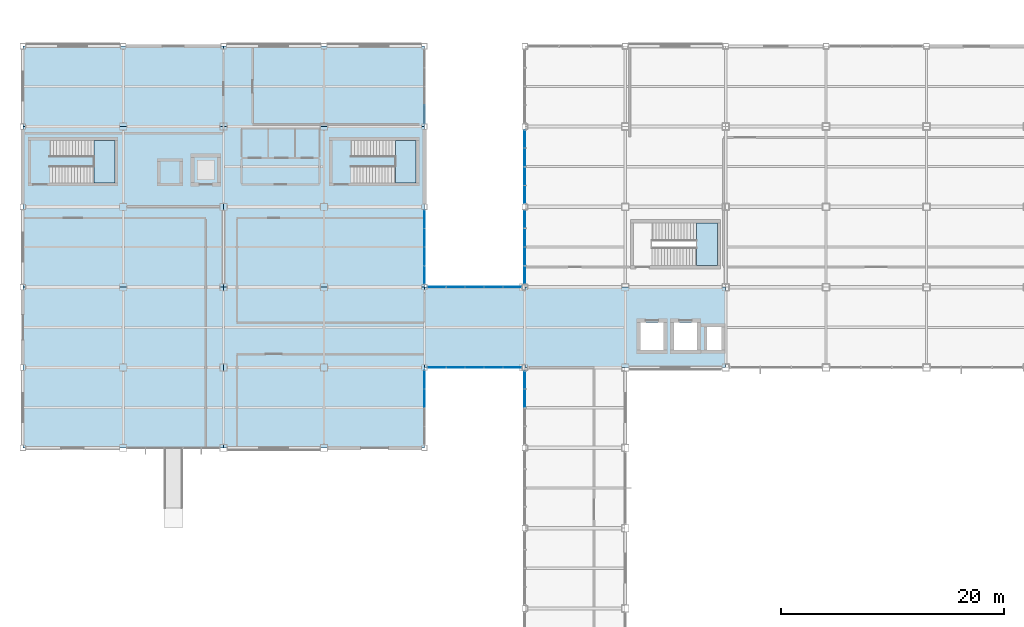
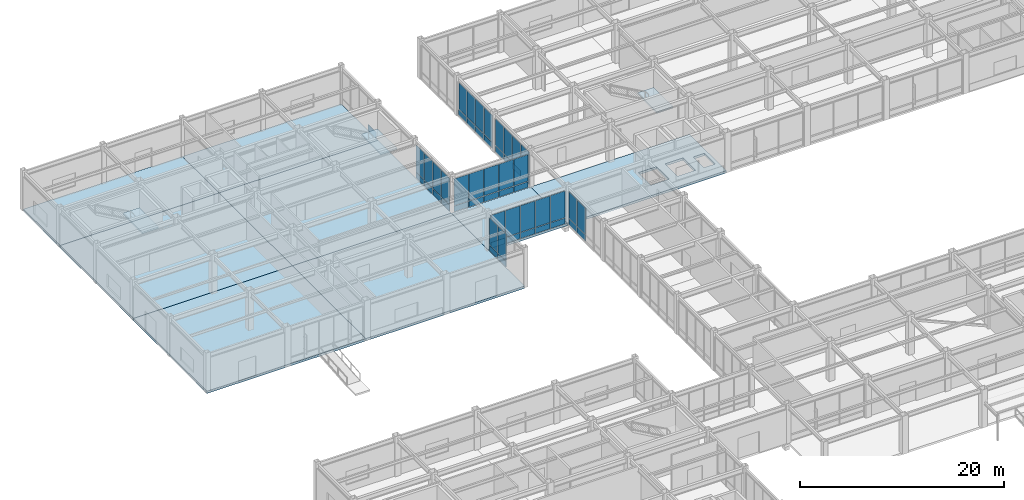
# One storey, part 83 of 112: 53 plates, 11 slabs, 11 elements without a shape of their own.
"""IFC4 building model written with IfcOpenShell, lengths in metres."""

from ifc_helpers import new_model, si_unit, direction, frame, origin, origin_2d, place, context, subcontext, project, spatial, polyline, rectangle, outline, extrude, material, layer, layer_set, type_object, element, aggregate, save


model = new_model("IFC4")

# Units and contexts
model_context = context("Model", 3, precision=1e-05, world=origin(), true_north=direction((0.0, 1.0)))
body_context = subcontext(model_context, "Body", "Model", "MODEL_VIEW")
ifc_project = project(units=[si_unit("LENGTHUNIT", "METRE"), si_unit("AREAUNIT", "SQUARE_METRE"), si_unit("VOLUMEUNIT", "CUBIC_METRE"), si_unit("PLANEANGLEUNIT", "RADIAN"), si_unit("MASSUNIT", "GRAM", prefix="KILO")], contexts=[model_context])

# Site, building, storey
site_placement = place(None, origin())
site = spatial("IfcSite", under=ifc_project, at=site_placement, CompositionType="ELEMENT")
building_placement = place(site_placement, origin())
building = spatial("IfcBuilding", under=site, at=building_placement, Name="Kazanami Central Library", CompositionType="ELEMENT")
storey_placement = place(building_placement, origin())
storey = spatial("IfcBuildingStorey", under=building, at=storey_placement, Name="L01", CompositionType="ELEMENT", Elevation=0.0)

# Curtain wall, plates
ifc_material_1 = material(Name="Acid-Etched Low-E Laminated Glass", Category="glass")
curtain_wall_type_1 = type_object("IfcCurtainWallType", Name="CW-8500x4055-M180", PredefinedType="USERDEFINED", material=ifc_material_1)
curtain_wall_1_placement = place(storey_placement, origin())
curtain_wall_1 = element("IfcCurtainWall", 1, at=curtain_wall_1_placement, inside=storey, type_object=curtain_wall_type_1, Name="Covered Link Bridge Curtain Wall CW-02 L01 S-K-04", ObjectType="UNITISED CURTAIN WALL", PredefinedType="USERDEFINED")
ifc_material_2 = material(Name="Low-E Insulated Triple Glass", Category="glass")
ifc_layer_1 = layer(ifc_material_2, 0.0400390625, Name="Low-E Insulated Triple Glass")
ifc_layer_set_1 = layer_set([ifc_layer_1], Name="Low-E Insulated Triple Glass")
plate_type_1 = type_object("IfcPlateType", Name="PLT-CW-P3", PredefinedType="CURTAIN_PANEL", material=ifc_layer_set_1)
plate_1_placement = place(storey_placement, frame((37.114990234375, 64.800048828125, 0.81005859375), z_axis=(0.0, 0.0, 1.0), x_axis=(1.0, 0.0, 0.0)))
plate_1 = element("IfcPlate", 2, at=plate_1_placement, type_object=plate_type_1, Name="CW-02 panel 1.2", PredefinedType="CURTAIN_PANEL", context=body_context, shape_type="SweptSolid", body=[
    extrude(rectangle(XDim=1.610107421875, YDim=0.0400390625, at=origin_2d()), origin(), (0.0, 0.0, 1.0), 3.18505859375),
])
plate_2_placement = place(storey_placement, frame((38.800048828125, 64.800048828125, 0.81005859375), z_axis=(0.0, 0.0, 1.0), x_axis=(1.0, 0.0, 0.0)))
plate_2 = element("IfcPlate", 3, at=plate_2_placement, type_object=plate_type_1, Name="CW-02 panel 2.2", PredefinedType="CURTAIN_PANEL", context=body_context, shape_type="SweptSolid", body=[
    extrude(rectangle(XDim=1.639892578125, YDim=0.0400390625, at=origin_2d()), origin(), (0.0, 0.0, 1.0), 3.18505859375),
])
plate_3_placement = place(storey_placement, frame((40.5, 64.800048828125, 0.81005859375), z_axis=(0.0, 0.0, 1.0), x_axis=(1.0, 0.0, 0.0)))
plate_3 = element("IfcPlate", 4, at=plate_3_placement, type_object=plate_type_1, Name="CW-02 panel 3.2", PredefinedType="CURTAIN_PANEL", context=body_context, shape_type="SweptSolid", body=[
    extrude(rectangle(XDim=1.639892578125, YDim=0.0400390625, at=origin_2d()), origin(), (0.0, 0.0, 1.0), 3.18505859375),
])
plate_4_placement = place(storey_placement, frame((42.199951171875, 64.800048828125, 0.81005859375), z_axis=(0.0, 0.0, 1.0), x_axis=(1.0, 0.0, 0.0)))
plate_4 = element("IfcPlate", 5, at=plate_4_placement, type_object=plate_type_1, Name="CW-02 panel 4.2", PredefinedType="CURTAIN_PANEL", context=body_context, shape_type="SweptSolid", body=[
    extrude(rectangle(XDim=1.639892578125, YDim=0.0400390625, at=origin_2d()), origin(), (0.0, 0.0, 1.0), 3.18505859375),
])
plate_5_placement = place(storey_placement, frame((43.885009765625, 64.800048828125, 0.81005859375), z_axis=(0.0, 0.0, 1.0), x_axis=(1.0, 0.0, 0.0)))
plate_5 = element("IfcPlate", 6, at=plate_5_placement, type_object=plate_type_1, Name="CW-02 panel 5.2", PredefinedType="CURTAIN_PANEL", context=body_context, shape_type="SweptSolid", body=[
    extrude(rectangle(XDim=1.610107421875, YDim=0.0400390625, at=origin_2d()), origin(), (0.0, 0.0, 1.0), 3.18505859375),
])

curtain_wall_2_placement = place(storey_placement, origin())
curtain_wall_2 = element("IfcCurtainWall", 7, at=curtain_wall_2_placement, inside=storey, type_object=curtain_wall_type_1, Name="Covered Link Bridge Curtain Wall CW-02 L01 N-L-04", ObjectType="UNITISED CURTAIN WALL", PredefinedType="USERDEFINED")
plate_6_placement = place(storey_placement, frame((43.885009765625, 72.0, 0.81005859375), z_axis=(0.0, 0.0, 1.0), x_axis=(-1.0, 0.0, 0.0)))
plate_6 = element("IfcPlate", 8, at=plate_6_placement, type_object=plate_type_1, Name="CW-02 panel 1.2", PredefinedType="CURTAIN_PANEL", context=body_context, shape_type="SweptSolid", body=[
    extrude(rectangle(XDim=1.610107421875, YDim=0.0400390625, at=origin_2d()), origin(), (0.0, 0.0, 1.0), 3.18505859375),
])
plate_7_placement = place(storey_placement, frame((42.199951171875, 72.0, 0.81005859375), z_axis=(0.0, 0.0, 1.0), x_axis=(-1.0, 0.0, 0.0)))
plate_7 = element("IfcPlate", 9, at=plate_7_placement, type_object=plate_type_1, Name="CW-02 panel 2.2", PredefinedType="CURTAIN_PANEL", context=body_context, shape_type="SweptSolid", body=[
    extrude(rectangle(XDim=1.639892578125, YDim=0.0400390625, at=origin_2d()), origin(), (0.0, 0.0, 1.0), 3.18505859375),
])
plate_8_placement = place(storey_placement, frame((40.5, 72.0, 0.81005859375), z_axis=(0.0, 0.0, 1.0), x_axis=(-1.0, 0.0, 0.0)))
plate_8 = element("IfcPlate", 10, at=plate_8_placement, type_object=plate_type_1, Name="CW-02 panel 3.2", PredefinedType="CURTAIN_PANEL", context=body_context, shape_type="SweptSolid", body=[
    extrude(rectangle(XDim=1.639892578125, YDim=0.0400390625, at=origin_2d()), origin(), (0.0, 0.0, 1.0), 3.18505859375),
])
plate_9_placement = place(storey_placement, frame((38.800048828125, 72.0, 0.81005859375), z_axis=(0.0, 0.0, 1.0), x_axis=(-1.0, 0.0, 0.0)))
plate_9 = element("IfcPlate", 11, at=plate_9_placement, type_object=plate_type_1, Name="CW-02 panel 4.2", PredefinedType="CURTAIN_PANEL", context=body_context, shape_type="SweptSolid", body=[
    extrude(rectangle(XDim=1.639892578125, YDim=0.0400390625, at=origin_2d()), origin(), (0.0, 0.0, 1.0), 3.18505859375),
])
plate_10_placement = place(storey_placement, frame((37.114990234375, 72.0, 0.81005859375), z_axis=(0.0, 0.0, 1.0), x_axis=(-1.0, 0.0, 0.0)))
plate_10 = element("IfcPlate", 12, at=plate_10_placement, type_object=plate_type_1, Name="CW-02 panel 5.2", PredefinedType="CURTAIN_PANEL", context=body_context, shape_type="SweptSolid", body=[
    extrude(rectangle(XDim=1.610107421875, YDim=0.0400390625, at=origin_2d()), origin(), (0.0, 0.0, 1.0), 3.18505859375),
])

curtain_wall_type_2 = type_object("IfcCurtainWallType", Name="CW-6700x4055-M180", PredefinedType="USERDEFINED", material=ifc_material_1)
curtain_wall_3_placement = place(storey_placement, origin())
curtain_wall_3 = element("IfcCurtainWall", 13, at=curtain_wall_3_placement, inside=storey, type_object=curtain_wall_type_2, Name="Covered Link Bridge Curtain Wall CW-09 L01 E-5-08", ObjectType="UNITISED CURTAIN WALL", PredefinedType="USERDEFINED")
plate_11_placement = place(storey_placement, frame((36.0, 63.697509765625, 0.81005859375), z_axis=(0.0, 0.0, 1.0), x_axis=(0.0, -1.0, 0.0)))
plate_11 = element("IfcPlate", 14, at=plate_11_placement, type_object=plate_type_1, Name="CW-09 panel 1.2", PredefinedType="CURTAIN_PANEL", context=body_context, shape_type="SweptSolid", body=[
    extrude(rectangle(XDim=1.5849609375, YDim=0.0400390625, at=origin_2d()), origin(), (0.0, 0.0, 1.0), 3.18505859375),
])
plate_12_placement = place(storey_placement, frame((36.0, 62.03759765625, 0.81005859375), z_axis=(0.0, 0.0, 1.0), x_axis=(0.0, -1.0, 0.0)))
plate_12 = element("IfcPlate", 15, at=plate_12_placement, type_object=plate_type_1, Name="CW-09 panel 2.2", PredefinedType="CURTAIN_PANEL", context=body_context, shape_type="SweptSolid", body=[
    extrude(rectangle(XDim=1.614990234375, YDim=0.0400390625, at=origin_2d()), origin(), (0.0, 0.0, 1.0), 3.18505859375),
])

curtain_wall_4_placement = place(storey_placement, origin())
curtain_wall_4 = element("IfcCurtainWall", 16, at=curtain_wall_4_placement, inside=storey, type_object=curtain_wall_type_2, Name="Covered Link Bridge Curtain Wall CW-09 L01 E-5-10", ObjectType="UNITISED CURTAIN WALL", PredefinedType="USERDEFINED")
plate_13_placement = place(storey_placement, frame((36.0, 78.097412109375, 0.81005859375), z_axis=(0.0, 0.0, 1.0), x_axis=(0.0, -1.0, 0.0)))
plate_13 = element("IfcPlate", 17, at=plate_13_placement, type_object=plate_type_1, Name="CW-09 panel 1.2", PredefinedType="CURTAIN_PANEL", context=body_context, shape_type="SweptSolid", body=[
    extrude(rectangle(XDim=1.5849609375, YDim=0.0400390625, at=origin_2d()), origin(), (0.0, 0.0, 1.0), 3.18505859375),
])
plate_14_placement = place(storey_placement, frame((36.0, 76.4375, 0.81005859375), z_axis=(0.0, 0.0, 1.0), x_axis=(0.0, -1.0, 0.0)))
plate_14 = element("IfcPlate", 18, at=plate_14_placement, type_object=plate_type_1, Name="CW-09 panel 2.2", PredefinedType="CURTAIN_PANEL", context=body_context, shape_type="SweptSolid", body=[
    extrude(rectangle(XDim=1.614990234375, YDim=0.0400390625, at=origin_2d()), origin(), (0.0, 0.0, 1.0), 3.18505859375),
])
plate_15_placement = place(storey_placement, frame((36.0, 74.762451171875, 0.81005859375), z_axis=(0.0, 0.0, 1.0), x_axis=(0.0, -1.0, 0.0)))
plate_15 = element("IfcPlate", 19, at=plate_15_placement, type_object=plate_type_1, Name="CW-09 panel 3.2", PredefinedType="CURTAIN_PANEL", context=body_context, shape_type="SweptSolid", body=[
    extrude(rectangle(XDim=1.614990234375, YDim=0.0400390625, at=origin_2d()), origin(), (0.0, 0.0, 1.0), 3.18505859375),
])
plate_16_placement = place(storey_placement, frame((36.0, 73.1025390625, 0.81005859375), z_axis=(0.0, 0.0, 1.0), x_axis=(0.0, -1.0, 0.0)))
plate_16 = element("IfcPlate", 20, at=plate_16_placement, type_object=plate_type_1, Name="CW-09 panel 4.2", PredefinedType="CURTAIN_PANEL", context=body_context, shape_type="SweptSolid", body=[
    extrude(rectangle(XDim=1.5849609375, YDim=0.0400390625, at=origin_2d()), origin(), (0.0, 0.0, 1.0), 3.18505859375),
])

curtain_wall_5_placement = place(storey_placement, origin())
curtain_wall_5 = element("IfcCurtainWall", 21, at=curtain_wall_5_placement, inside=storey, type_object=curtain_wall_type_2, Name="Covered Link Bridge Curtain Wall CW-09 L01 W-6-08", ObjectType="UNITISED CURTAIN WALL", PredefinedType="USERDEFINED")
plate_17_placement = place(storey_placement, frame((45.0, 62.03759765625, 0.81494140625), z_axis=(0.0, 0.0, 1.0), x_axis=(0.0, 1.0, 0.0)))
plate_17 = element("IfcPlate", 22, at=plate_17_placement, type_object=plate_type_1, Name="CW-09 panel 3.2", PredefinedType="CURTAIN_PANEL", context=body_context, shape_type="SweptSolid", body=[
    extrude(rectangle(XDim=1.60498046875, YDim=0.0400390625, at=origin_2d()), origin(), (0.0, 0.0, 1.0), 3.169921875),
])
plate_18_placement = place(storey_placement, frame((45.0, 63.695068359375, 0.81494140625), z_axis=(0.0, 0.0, 1.0), x_axis=(0.0, 1.0, 0.0)))
plate_18 = element("IfcPlate", 23, at=plate_18_placement, type_object=plate_type_1, Name="CW-09 panel 4.2", PredefinedType="CURTAIN_PANEL", context=body_context, shape_type="SweptSolid", body=[
    extrude(rectangle(XDim=1.570068359375, YDim=0.0400390625, at=origin_2d()), origin(), (0.0, 0.0, 1.0), 3.169921875),
])

curtain_wall_6_placement = place(storey_placement, origin())
curtain_wall_6 = element("IfcCurtainWall", 24, at=curtain_wall_6_placement, inside=storey, type_object=curtain_wall_type_2, Name="Covered Link Bridge Curtain Wall CW-09 L01 W-6-10", ObjectType="UNITISED CURTAIN WALL", PredefinedType="USERDEFINED")
plate_19_placement = place(storey_placement, frame((45.0, 73.10498046875, 0.81494140625), z_axis=(0.0, 0.0, 1.0), x_axis=(0.0, 1.0, 0.0)))
plate_19 = element("IfcPlate", 25, at=plate_19_placement, type_object=plate_type_1, Name="CW-09 panel 1.2", PredefinedType="CURTAIN_PANEL", context=body_context, shape_type="SweptSolid", body=[
    extrude(rectangle(XDim=1.570068359375, YDim=0.0400390625, at=origin_2d()), origin(), (0.0, 0.0, 1.0), 3.169921875),
])
plate_20_placement = place(storey_placement, frame((45.0, 74.762451171875, 0.81494140625), z_axis=(0.0, 0.0, 1.0), x_axis=(0.0, 1.0, 0.0)))
plate_20 = element("IfcPlate", 26, at=plate_20_placement, type_object=plate_type_1, Name="CW-09 panel 2.2", PredefinedType="CURTAIN_PANEL", context=body_context, shape_type="SweptSolid", body=[
    extrude(rectangle(XDim=1.60498046875, YDim=0.0400390625, at=origin_2d()), origin(), (0.0, 0.0, 1.0), 3.169921875),
])
plate_21_placement = place(storey_placement, frame((45.0, 76.4375, 0.81494140625), z_axis=(0.0, 0.0, 1.0), x_axis=(0.0, 1.0, 0.0)))
plate_21 = element("IfcPlate", 27, at=plate_21_placement, type_object=plate_type_1, Name="CW-09 panel 3.2", PredefinedType="CURTAIN_PANEL", context=body_context, shape_type="SweptSolid", body=[
    extrude(rectangle(XDim=1.60498046875, YDim=0.0400390625, at=origin_2d()), origin(), (0.0, 0.0, 1.0), 3.169921875),
])
plate_22_placement = place(storey_placement, frame((45.0, 78.094970703125, 0.81494140625), z_axis=(0.0, 0.0, 1.0), x_axis=(0.0, 1.0, 0.0)))
plate_22 = element("IfcPlate", 28, at=plate_22_placement, type_object=plate_type_1, Name="CW-09 panel 4.2", PredefinedType="CURTAIN_PANEL", context=body_context, shape_type="SweptSolid", body=[
    extrude(rectangle(XDim=1.570068359375, YDim=0.0400390625, at=origin_2d()), origin(), (0.0, 0.0, 1.0), 3.169921875),
])

curtain_wall_7_placement = place(storey_placement, origin())
curtain_wall_7 = element("IfcCurtainWall", 29, at=curtain_wall_7_placement, inside=storey, type_object=curtain_wall_type_2, Name="Covered Link Bridge Curtain Wall CW-09 L01 W-6-11", ObjectType="UNITISED CURTAIN WALL", PredefinedType="USERDEFINED")
plate_23_placement = place(storey_placement, frame((45.0, 80.304931640625, 0.81494140625), z_axis=(0.0, 0.0, 1.0), x_axis=(0.0, 1.0, 0.0)))
plate_23 = element("IfcPlate", 30, at=plate_23_placement, type_object=plate_type_1, Name="CW-09 panel 1.2", PredefinedType="CURTAIN_PANEL", context=body_context, shape_type="SweptSolid", body=[
    extrude(rectangle(XDim=1.570068359375, YDim=0.0400390625, at=origin_2d()), origin(), (0.0, 0.0, 1.0), 3.169921875),
])
plate_24_placement = place(storey_placement, frame((45.0, 81.96240234375, 0.81494140625), z_axis=(0.0, 0.0, 1.0), x_axis=(0.0, 1.0, 0.0)))
plate_24 = element("IfcPlate", 31, at=plate_24_placement, type_object=plate_type_1, Name="CW-09 panel 2.2", PredefinedType="CURTAIN_PANEL", context=body_context, shape_type="SweptSolid", body=[
    extrude(rectangle(XDim=1.60498046875, YDim=0.0400390625, at=origin_2d()), origin(), (0.0, 0.0, 1.0), 3.169921875),
])
plate_25_placement = place(storey_placement, frame((45.0, 83.637451171875, 0.81494140625), z_axis=(0.0, 0.0, 1.0), x_axis=(0.0, 1.0, 0.0)))
plate_25 = element("IfcPlate", 32, at=plate_25_placement, type_object=plate_type_1, Name="CW-09 panel 3.2", PredefinedType="CURTAIN_PANEL", context=body_context, shape_type="SweptSolid", body=[
    extrude(rectangle(XDim=1.60498046875, YDim=0.0400390625, at=origin_2d()), origin(), (0.0, 0.0, 1.0), 3.169921875),
])
plate_26_placement = place(storey_placement, frame((45.0, 85.294921875, 0.81494140625), z_axis=(0.0, 0.0, 1.0), x_axis=(0.0, 1.0, 0.0)))
plate_26 = element("IfcPlate", 33, at=plate_26_placement, type_object=plate_type_1, Name="CW-09 panel 4.2", PredefinedType="CURTAIN_PANEL", context=body_context, shape_type="SweptSolid", body=[
    extrude(rectangle(XDim=1.570068359375, YDim=0.0400390625, at=origin_2d()), origin(), (0.0, 0.0, 1.0), 3.169921875),
])

# Plate
ifc_material_3 = material(Name="Anodised Aluminium A5052-H32", Category="aluminium")
ifc_layer_2 = layer(ifc_material_3, 0.06005859375, Name="Anodised Aluminium A5052-H32")
ifc_layer_set_2 = layer_set([ifc_layer_2], Name="Anodised Aluminium A5052-H32")
plate_type_2 = type_object("IfcPlateType", Name="PLT-CW-SP1", PredefinedType="CURTAIN_PANEL", material=ifc_layer_set_2)
plate_27_placement = place(storey_placement, frame((45.0, 62.03759765625, 0.06982421875), z_axis=(0.0, 0.0, 1.0), x_axis=(0.0, 1.0, 0.0)))
plate_27 = element("IfcPlate", 34, at=plate_27_placement, type_object=plate_type_2, Name="CW-09 panel 3.1", PredefinedType="CURTAIN_PANEL", context=body_context, shape_type="SweptSolid", body=[
    extrude(rectangle(XDim=1.60498046875, YDim=0.06005859375, at=origin_2d()), origin(), (0.0, 0.0, 1.0), 0.675048828125),
])

plate_28_placement = place(storey_placement, frame((45.0, 63.695068359375, 0.06982421875), z_axis=(0.0, 0.0, 1.0), x_axis=(0.0, 1.0, 0.0)))
plate_28 = element("IfcPlate", 35, at=plate_28_placement, type_object=plate_type_2, Name="CW-09 panel 4.1", PredefinedType="CURTAIN_PANEL", context=body_context, shape_type="SweptSolid", body=[
    extrude(rectangle(XDim=1.570068359375, YDim=0.06005859375, at=origin_2d()), origin(), (0.0, 0.0, 1.0), 0.675048828125),
])

aggregate(curtain_wall_5, [plate_27, plate_17, plate_28, plate_18])

plate_29_placement = place(storey_placement, frame((45.0, 73.10498046875, 0.06982421875), z_axis=(0.0, 0.0, 1.0), x_axis=(0.0, 1.0, 0.0)))
plate_29 = element("IfcPlate", 36, at=plate_29_placement, type_object=plate_type_2, Name="CW-09 panel 1.1", PredefinedType="CURTAIN_PANEL", context=body_context, shape_type="SweptSolid", body=[
    extrude(rectangle(XDim=1.570068359375, YDim=0.06005859375, at=origin_2d()), origin(), (0.0, 0.0, 1.0), 0.675048828125),
])

plate_30_placement = place(storey_placement, frame((45.0, 74.762451171875, 0.06982421875), z_axis=(0.0, 0.0, 1.0), x_axis=(0.0, 1.0, 0.0)))
plate_30 = element("IfcPlate", 37, at=plate_30_placement, type_object=plate_type_2, Name="CW-09 panel 2.1", PredefinedType="CURTAIN_PANEL", context=body_context, shape_type="SweptSolid", body=[
    extrude(rectangle(XDim=1.60498046875, YDim=0.06005859375, at=origin_2d()), origin(), (0.0, 0.0, 1.0), 0.675048828125),
])

plate_31_placement = place(storey_placement, frame((45.0, 76.4375, 0.06982421875), z_axis=(0.0, 0.0, 1.0), x_axis=(0.0, 1.0, 0.0)))
plate_31 = element("IfcPlate", 38, at=plate_31_placement, type_object=plate_type_2, Name="CW-09 panel 3.1", PredefinedType="CURTAIN_PANEL", context=body_context, shape_type="SweptSolid", body=[
    extrude(rectangle(XDim=1.60498046875, YDim=0.06005859375, at=origin_2d()), origin(), (0.0, 0.0, 1.0), 0.675048828125),
])

plate_32_placement = place(storey_placement, frame((45.0, 78.094970703125, 0.06982421875), z_axis=(0.0, 0.0, 1.0), x_axis=(0.0, 1.0, 0.0)))
plate_32 = element("IfcPlate", 39, at=plate_32_placement, type_object=plate_type_2, Name="CW-09 panel 4.1", PredefinedType="CURTAIN_PANEL", context=body_context, shape_type="SweptSolid", body=[
    extrude(rectangle(XDim=1.570068359375, YDim=0.06005859375, at=origin_2d()), origin(), (0.0, 0.0, 1.0), 0.675048828125),
])

aggregate(curtain_wall_6, [plate_29, plate_19, plate_30, plate_20, plate_31, plate_21, plate_32, plate_22])

plate_33_placement = place(storey_placement, frame((45.0, 80.304931640625, 0.06982421875), z_axis=(0.0, 0.0, 1.0), x_axis=(0.0, 1.0, 0.0)))
plate_33 = element("IfcPlate", 40, at=plate_33_placement, type_object=plate_type_2, Name="CW-09 panel 1.1", PredefinedType="CURTAIN_PANEL", context=body_context, shape_type="SweptSolid", body=[
    extrude(rectangle(XDim=1.570068359375, YDim=0.06005859375, at=origin_2d()), origin(), (0.0, 0.0, 1.0), 0.675048828125),
])

plate_34_placement = place(storey_placement, frame((45.0, 81.96240234375, 0.06982421875), z_axis=(0.0, 0.0, 1.0), x_axis=(0.0, 1.0, 0.0)))
plate_34 = element("IfcPlate", 41, at=plate_34_placement, type_object=plate_type_2, Name="CW-09 panel 2.1", PredefinedType="CURTAIN_PANEL", context=body_context, shape_type="SweptSolid", body=[
    extrude(rectangle(XDim=1.60498046875, YDim=0.06005859375, at=origin_2d()), origin(), (0.0, 0.0, 1.0), 0.675048828125),
])

plate_35_placement = place(storey_placement, frame((45.0, 83.637451171875, 0.06982421875), z_axis=(0.0, 0.0, 1.0), x_axis=(0.0, 1.0, 0.0)))
plate_35 = element("IfcPlate", 42, at=plate_35_placement, type_object=plate_type_2, Name="CW-09 panel 3.1", PredefinedType="CURTAIN_PANEL", context=body_context, shape_type="SweptSolid", body=[
    extrude(rectangle(XDim=1.60498046875, YDim=0.06005859375, at=origin_2d()), origin(), (0.0, 0.0, 1.0), 0.675048828125),
])

plate_36_placement = place(storey_placement, frame((45.0, 85.294921875, 0.06982421875), z_axis=(0.0, 0.0, 1.0), x_axis=(0.0, 1.0, 0.0)))
plate_36 = element("IfcPlate", 43, at=plate_36_placement, type_object=plate_type_2, Name="CW-09 panel 4.1", PredefinedType="CURTAIN_PANEL", context=body_context, shape_type="SweptSolid", body=[
    extrude(rectangle(XDim=1.570068359375, YDim=0.06005859375, at=origin_2d()), origin(), (0.0, 0.0, 1.0), 0.675048828125),
])

aggregate(curtain_wall_7, [plate_33, plate_23, plate_34, plate_24, plate_35, plate_25, plate_36, plate_26])

ifc_layer_3 = layer(ifc_material_3, 0.052001953125, Name="Anodised Aluminium A5052-H32")
ifc_layer_set_3 = layer_set([ifc_layer_3], Name="Anodised Aluminium A5052-H32")
plate_type_3 = type_object("IfcPlateType", Name="PLT-CW-SP2", PredefinedType="CURTAIN_PANEL", material=ifc_layer_set_3)
plate_37_placement = place(storey_placement, frame((37.114990234375, 64.800048828125, 0.06005859375), z_axis=(0.0, 0.0, 1.0), x_axis=(1.0, 0.0, 0.0)))
plate_37 = element("IfcPlate", 44, at=plate_37_placement, type_object=plate_type_3, Name="CW-02 panel 1.1", PredefinedType="CURTAIN_PANEL", context=body_context, shape_type="SweptSolid", body=[
    extrude(rectangle(XDim=1.610107421875, YDim=0.052001953125, at=origin_2d()), origin(), (0.0, 0.0, 1.0), 0.68994140625),
])

plate_38_placement = place(storey_placement, frame((38.800048828125, 64.800048828125, 0.06005859375), z_axis=(0.0, 0.0, 1.0), x_axis=(1.0, 0.0, 0.0)))
plate_38 = element("IfcPlate", 45, at=plate_38_placement, type_object=plate_type_3, Name="CW-02 panel 2.1", PredefinedType="CURTAIN_PANEL", context=body_context, shape_type="SweptSolid", body=[
    extrude(rectangle(XDim=1.639892578125, YDim=0.052001953125, at=origin_2d()), origin(), (0.0, 0.0, 1.0), 0.68994140625),
])

plate_39_placement = place(storey_placement, frame((40.5, 64.800048828125, 0.06005859375), z_axis=(0.0, 0.0, 1.0), x_axis=(1.0, 0.0, 0.0)))
plate_39 = element("IfcPlate", 46, at=plate_39_placement, type_object=plate_type_3, Name="CW-02 panel 3.1", PredefinedType="CURTAIN_PANEL", context=body_context, shape_type="SweptSolid", body=[
    extrude(rectangle(XDim=1.639892578125, YDim=0.052001953125, at=origin_2d()), origin(), (0.0, 0.0, 1.0), 0.68994140625),
])

plate_40_placement = place(storey_placement, frame((42.199951171875, 64.800048828125, 0.06005859375), z_axis=(0.0, 0.0, 1.0), x_axis=(1.0, 0.0, 0.0)))
plate_40 = element("IfcPlate", 47, at=plate_40_placement, type_object=plate_type_3, Name="CW-02 panel 4.1", PredefinedType="CURTAIN_PANEL", context=body_context, shape_type="SweptSolid", body=[
    extrude(rectangle(XDim=1.639892578125, YDim=0.052001953125, at=origin_2d()), origin(), (0.0, 0.0, 1.0), 0.68994140625),
])

plate_41_placement = place(storey_placement, frame((43.885009765625, 64.800048828125, 0.06005859375), z_axis=(0.0, 0.0, 1.0), x_axis=(1.0, 0.0, 0.0)))
plate_41 = element("IfcPlate", 48, at=plate_41_placement, type_object=plate_type_3, Name="CW-02 panel 5.1", PredefinedType="CURTAIN_PANEL", context=body_context, shape_type="SweptSolid", body=[
    extrude(rectangle(XDim=1.610107421875, YDim=0.052001953125, at=origin_2d()), origin(), (0.0, 0.0, 1.0), 0.68994140625),
])

aggregate(curtain_wall_1, [plate_37, plate_1, plate_38, plate_2, plate_39, plate_3, plate_40, plate_4, plate_41, plate_5])

plate_42_placement = place(storey_placement, frame((43.885009765625, 72.0, 0.06005859375), z_axis=(0.0, 0.0, 1.0), x_axis=(-1.0, 0.0, 0.0)))
plate_42 = element("IfcPlate", 49, at=plate_42_placement, type_object=plate_type_3, Name="CW-02 panel 1.1", PredefinedType="CURTAIN_PANEL", context=body_context, shape_type="SweptSolid", body=[
    extrude(rectangle(XDim=1.610107421875, YDim=0.052001953125, at=origin_2d()), origin(), (0.0, 0.0, 1.0), 0.68994140625),
])

plate_43_placement = place(storey_placement, frame((42.199951171875, 72.0, 0.06005859375), z_axis=(0.0, 0.0, 1.0), x_axis=(-1.0, 0.0, 0.0)))
plate_43 = element("IfcPlate", 50, at=plate_43_placement, type_object=plate_type_3, Name="CW-02 panel 2.1", PredefinedType="CURTAIN_PANEL", context=body_context, shape_type="SweptSolid", body=[
    extrude(rectangle(XDim=1.639892578125, YDim=0.052001953125, at=origin_2d()), origin(), (0.0, 0.0, 1.0), 0.68994140625),
])

plate_44_placement = place(storey_placement, frame((40.5, 72.0, 0.06005859375), z_axis=(0.0, 0.0, 1.0), x_axis=(-1.0, 0.0, 0.0)))
plate_44 = element("IfcPlate", 51, at=plate_44_placement, type_object=plate_type_3, Name="CW-02 panel 3.1", PredefinedType="CURTAIN_PANEL", context=body_context, shape_type="SweptSolid", body=[
    extrude(rectangle(XDim=1.639892578125, YDim=0.052001953125, at=origin_2d()), origin(), (0.0, 0.0, 1.0), 0.68994140625),
])

plate_45_placement = place(storey_placement, frame((38.800048828125, 72.0, 0.06005859375), z_axis=(0.0, 0.0, 1.0), x_axis=(-1.0, 0.0, 0.0)))
plate_45 = element("IfcPlate", 52, at=plate_45_placement, type_object=plate_type_3, Name="CW-02 panel 4.1", PredefinedType="CURTAIN_PANEL", context=body_context, shape_type="SweptSolid", body=[
    extrude(rectangle(XDim=1.639892578125, YDim=0.052001953125, at=origin_2d()), origin(), (0.0, 0.0, 1.0), 0.68994140625),
])

plate_46_placement = place(storey_placement, frame((37.114990234375, 72.0, 0.06005859375), z_axis=(0.0, 0.0, 1.0), x_axis=(-1.0, 0.0, 0.0)))
plate_46 = element("IfcPlate", 53, at=plate_46_placement, type_object=plate_type_3, Name="CW-02 panel 5.1", PredefinedType="CURTAIN_PANEL", context=body_context, shape_type="SweptSolid", body=[
    extrude(rectangle(XDim=1.610107421875, YDim=0.052001953125, at=origin_2d()), origin(), (0.0, 0.0, 1.0), 0.68994140625),
])

aggregate(curtain_wall_2, [plate_42, plate_6, plate_43, plate_7, plate_44, plate_8, plate_45, plate_9, plate_46, plate_10])

plate_47_placement = place(storey_placement, frame((36.0, 63.697509765625, 0.06005859375), z_axis=(0.0, 0.0, 1.0), x_axis=(0.0, -1.0, 0.0)))
plate_47 = element("IfcPlate", 54, at=plate_47_placement, type_object=plate_type_3, Name="CW-09 panel 1.1", PredefinedType="CURTAIN_PANEL", context=body_context, shape_type="SweptSolid", body=[
    extrude(rectangle(XDim=1.5849609375, YDim=0.052001953125, at=origin_2d()), origin(), (0.0, 0.0, 1.0), 0.68994140625),
])

plate_48_placement = place(storey_placement, frame((36.0, 62.03759765625, 0.06005859375), z_axis=(0.0, 0.0, 1.0), x_axis=(0.0, -1.0, 0.0)))
plate_48 = element("IfcPlate", 55, at=plate_48_placement, type_object=plate_type_3, Name="CW-09 panel 2.1", PredefinedType="CURTAIN_PANEL", context=body_context, shape_type="SweptSolid", body=[
    extrude(rectangle(XDim=1.614990234375, YDim=0.052001953125, at=origin_2d()), origin(), (0.0, 0.0, 1.0), 0.68994140625),
])

aggregate(curtain_wall_3, [plate_47, plate_11, plate_48, plate_12])

plate_49_placement = place(storey_placement, frame((36.0, 78.097412109375, 0.06005859375), z_axis=(0.0, 0.0, 1.0), x_axis=(0.0, -1.0, 0.0)))
plate_49 = element("IfcPlate", 56, at=plate_49_placement, type_object=plate_type_3, Name="CW-09 panel 1.1", PredefinedType="CURTAIN_PANEL", context=body_context, shape_type="SweptSolid", body=[
    extrude(rectangle(XDim=1.5849609375, YDim=0.052001953125, at=origin_2d()), origin(), (0.0, 0.0, 1.0), 0.68994140625),
])

plate_50_placement = place(storey_placement, frame((36.0, 76.4375, 0.06005859375), z_axis=(0.0, 0.0, 1.0), x_axis=(0.0, -1.0, 0.0)))
plate_50 = element("IfcPlate", 57, at=plate_50_placement, type_object=plate_type_3, Name="CW-09 panel 2.1", PredefinedType="CURTAIN_PANEL", context=body_context, shape_type="SweptSolid", body=[
    extrude(rectangle(XDim=1.614990234375, YDim=0.052001953125, at=origin_2d()), origin(), (0.0, 0.0, 1.0), 0.68994140625),
])

plate_51_placement = place(storey_placement, frame((36.0, 74.762451171875, 0.06005859375), z_axis=(0.0, 0.0, 1.0), x_axis=(0.0, -1.0, 0.0)))
plate_51 = element("IfcPlate", 58, at=plate_51_placement, type_object=plate_type_3, Name="CW-09 panel 3.1", PredefinedType="CURTAIN_PANEL", context=body_context, shape_type="SweptSolid", body=[
    extrude(rectangle(XDim=1.614990234375, YDim=0.052001953125, at=origin_2d()), origin(), (0.0, 0.0, 1.0), 0.68994140625),
])

plate_52_placement = place(storey_placement, frame((36.0, 73.1025390625, 0.06005859375), z_axis=(0.0, 0.0, 1.0), x_axis=(0.0, -1.0, 0.0)))
plate_52 = element("IfcPlate", 59, at=plate_52_placement, type_object=plate_type_3, Name="CW-09 panel 4.1", PredefinedType="CURTAIN_PANEL", context=body_context, shape_type="SweptSolid", body=[
    extrude(rectangle(XDim=1.5849609375, YDim=0.052001953125, at=origin_2d()), origin(), (0.0, 0.0, 1.0), 0.68994140625),
])

aggregate(curtain_wall_4, [plate_49, plate_13, plate_50, plate_14, plate_51, plate_15, plate_52, plate_16])

# Curtain wall, plate
curtain_wall_8_placement = place(storey_placement, origin())
curtain_wall_8 = element("IfcCurtainWall", 60, at=curtain_wall_8_placement, inside=storey, type_object=curtain_wall_type_2, Name="Covered Link Bridge Curtain Wall CW-09 L01 E-5-12", ObjectType="UNITISED CURTAIN WALL", PredefinedType="USERDEFINED")
plate_53_placement = place(storey_placement, frame((36.0, 87.50244140625, 0.06005859375), z_axis=(0.0, 0.0, 1.0), x_axis=(0.0, -1.0, 0.0)))
plate_53 = element("IfcPlate", 61, at=plate_53_placement, type_object=plate_type_3, Name="CW-09 panel 4.1", PredefinedType="CURTAIN_PANEL", context=body_context, shape_type="SweptSolid", body=[
    extrude(rectangle(XDim=1.5849609375, YDim=0.052001953125, at=origin_2d()), origin(), (0.0, 0.0, 1.0), 0.68994140625),
])
aggregate(curtain_wall_8, [plate_53])

# Slabs
ifc_material_4 = material(Name="Concrete Fc36 (36 MPa)", Category="concrete")
ifc_layer_4 = layer(ifc_material_4, 0.27490234375, Name="Concrete Fc36 (36 MPa)")
ifc_layer_set_4 = layer_set([ifc_layer_4], Name="Concrete Fc36 (36 MPa)")
slab_type_1 = type_object("IfcSlabType", Name="SLB-FLR-275", PredefinedType="FLOOR", material=ifc_layer_set_4)
slab_1_placement = place(storey_placement, frame((0.0, 0.0, -0.27490234375)))
element("IfcSlab", 62, at=slab_1_placement, inside=storey, type_object=slab_type_1, Name="Composite Floor Slab L01 V4-RES Zone 5", PredefinedType="FLOOR", context=body_context, shape_type="SweptSolid", body=[
    extrude(outline(polyline([(0.0, 57.60009765625), (18.0, 57.60009765625), (18.0, 72.0), (0.0, 72.0), (0.0, 57.60009765625)])), origin(), (0.0, 0.0, 1.0), 0.27490234375),
])
slab_2_placement = place(storey_placement, frame((0.0, 0.0, -0.27490234375)))
element("IfcSlab", 63, at=slab_2_placement, inside=storey, type_object=slab_type_1, Name="Composite Floor Slab L01 V4-RES Zone 6", PredefinedType="FLOOR", context=body_context, shape_type="SweptSolid", body=[
    extrude(outline(polyline([(0.0, 72.0), (18.0, 72.0), (18.0, 86.39990234375), (0.0, 86.39990234375), (0.0, 72.0)])), origin(), (0.0, 0.0, 1.0), 0.27490234375),
])
slab_3_placement = place(storey_placement, frame((0.0, 0.0, -0.27490234375)))
element("IfcSlab", 64, at=slab_3_placement, inside=storey, type_object=slab_type_1, Name="Composite Floor Slab L01 V4-RES Zone 7", PredefinedType="FLOOR", context=body_context, shape_type="SweptSolid", body=[
    extrude(outline(polyline([(0.0, 86.39990234375), (18.0, 86.39990234375), (18.0, 93.60009765625), (0.0, 93.60009765625), (0.0, 86.39990234375)])), origin(), (0.0, 0.0, 1.0), 0.27490234375),
])
slab_4_placement = place(storey_placement, frame((0.0, 0.0, -0.27490234375)))
element("IfcSlab", 65, at=slab_4_placement, inside=storey, type_object=slab_type_1, Name="Composite Floor Slab L01 V4-RES Zone 8", PredefinedType="FLOOR", context=body_context, shape_type="SweptSolid", body=[
    extrude(outline(polyline([(18.0, 57.60009765625), (36.0, 57.60009765625), (36.0, 72.0), (18.0, 72.0), (18.0, 57.60009765625)])), origin(), (0.0, 0.0, 1.0), 0.27490234375),
])
slab_5_placement = place(storey_placement, frame((0.0, 0.0, -0.27490234375)))
element("IfcSlab", 66, at=slab_5_placement, inside=storey, type_object=slab_type_1, Name="Composite Floor Slab L01 V4-RES Zone 9", PredefinedType="FLOOR", context=body_context, shape_type="SweptSolid", body=[
    extrude(outline(polyline([(18.0, 72.0), (36.0, 72.0), (36.0, 86.39990234375), (18.0, 86.39990234375), (18.0, 72.0)])), origin(), (0.0, 0.0, 1.0), 0.27490234375),
])
slab_6_placement = place(storey_placement, frame((0.0, 0.0, -0.27490234375)))
element("IfcSlab", 67, at=slab_6_placement, inside=storey, type_object=slab_type_1, Name="Composite Floor Slab L01 V4-RES Zone 10", PredefinedType="FLOOR", context=body_context, shape_type="SweptSolid", body=[
    extrude(outline(polyline([(18.0, 86.39990234375), (36.0, 86.39990234375), (36.0, 93.60009765625), (18.0, 93.60009765625), (18.0, 86.39990234375)])), origin(), (0.0, 0.0, 1.0), 0.27490234375),
])
slab_7_placement = place(storey_placement, frame((0.0, 0.0, -0.27490234375)))
element("IfcSlab", 68, at=slab_7_placement, inside=storey, type_object=slab_type_1, Name="Covered Seismic-Joint Link Bridge Slab L01 BRG-WN", PredefinedType="FLOOR", context=body_context, shape_type="SweptSolid", body=[
    extrude(outline(polyline([(36.0, 64.800048828125), (45.0, 64.800048828125), (45.0, 72.0), (36.0, 72.0), (36.0, 64.800048828125)])), origin(), (0.0, 0.0, 1.0), 0.27490234375),
])
slab_8_placement = place(storey_placement, frame((0.0, 0.0, -0.27490234375)))
element("IfcSlab", 69, at=slab_8_placement, inside=storey, type_object=slab_type_1, Name="Composite Floor Slab L01 V1-NORTH Zone 20", PredefinedType="FLOOR", context=body_context, shape_type="SweptSolid", body=[
    extrude(outline(polyline([(45.0, 64.800048828125), (63.0, 64.800048828125), (63.0, 72.0), (45.0, 72.0), (45.0, 64.800048828125)]), holes=[polyline([(55.375, 66.375), (57.425048828125, 66.375), (57.425048828125, 68.824951171875), (55.375, 68.824951171875), (55.375, 66.375)]), polyline([(58.375, 66.375), (60.425048828125, 66.375), (60.425048828125, 68.824951171875), (58.375, 68.824951171875), (58.375, 66.375)]), polyline([(61.35009765625, 66.35009765625), (62.64990234375, 66.35009765625), (62.64990234375, 68.449951171875), (61.35009765625, 68.449951171875), (61.35009765625, 66.35009765625)])]), origin(), (0.0, 0.0, 1.0), 0.27490234375),
])

# Stair, slab
stair_type_1 = type_object("IfcStairType", Name="STR-P48", PredefinedType="HALF_TURN_STAIR", material=ifc_material_4)
stair_1_placement = place(storey_placement, origin())
stair_1 = element("IfcStair", 70, at=stair_1_placement, inside=storey, type_object=stair_type_1, Name="Enclosed Escape Stair ST-03 (L01)", PredefinedType="HALF_TURN_STAIR")
ifc_layer_5 = layer(ifc_material_4, 0.179931640625, Name="Concrete Fc36 (36 MPa)")
ifc_layer_set_5 = layer_set([ifc_layer_5], Name="Concrete Fc36 (36 MPa)")
slab_type_2 = type_object("IfcSlabType", Name="SLB-LND-180", PredefinedType="LANDING", material=ifc_layer_set_5)
slab_9_placement = place(storey_placement, frame((0.0, 0.0, 2.219970703125)))
slab_9 = element("IfcSlab", 71, at=slab_9_placement, type_object=slab_type_2, Name="ST-03 landing 1", PredefinedType="LANDING", context=body_context, shape_type="SweptSolid", body=[
    extrude(outline(polyline([(60.387939453125, 73.949951171875), (62.25, 73.949951171875), (62.25, 77.75), (60.387939453125, 77.75), (60.387939453125, 73.949951171875)])), origin(), (0.0, 0.0, 1.0), 0.179931640625),
])
aggregate(stair_1, [slab_9])

stair_type_2 = type_object("IfcStairType", Name="STR-T48", PredefinedType="HALF_TURN_STAIR", material=ifc_material_4)
stair_2_placement = place(storey_placement, origin())
stair_2 = element("IfcStair", 72, at=stair_2_placement, inside=storey, type_object=stair_type_2, Name="Enclosed Escape Stair ST-05 (L01)", PredefinedType="HALF_TURN_STAIR")
slab_10_placement = place(storey_placement, frame((0.0, 0.0, 2.219970703125)))
slab_10 = element("IfcSlab", 73, at=slab_10_placement, type_object=slab_type_2, Name="ST-05 landing 1", PredefinedType="LANDING", context=body_context, shape_type="SweptSolid", body=[
    extrude(outline(polyline([(6.387939453125, 81.35009765625), (8.25, 81.35009765625), (8.25, 85.14990234375), (6.387939453125, 85.14990234375), (6.387939453125, 81.35009765625)])), origin(), (0.0, 0.0, 1.0), 0.179931640625),
])
aggregate(stair_2, [slab_10])

stair_3_placement = place(storey_placement, origin())
stair_3 = element("IfcStair", 74, at=stair_3_placement, inside=storey, type_object=stair_type_2, Name="Enclosed Escape Stair ST-06 (L01)", PredefinedType="HALF_TURN_STAIR")
slab_11_placement = place(storey_placement, frame((0.0, 0.0, 2.219970703125)))
slab_11 = element("IfcSlab", 75, at=slab_11_placement, type_object=slab_type_2, Name="ST-06 landing 1", PredefinedType="LANDING", context=body_context, shape_type="SweptSolid", body=[
    extrude(outline(polyline([(33.387939453125, 81.35009765625), (35.25, 81.35009765625), (35.25, 85.14990234375), (33.387939453125, 85.14990234375), (33.387939453125, 81.35009765625)])), origin(), (0.0, 0.0, 1.0), 0.179931640625),
])
aggregate(stair_3, [slab_11])

save(model, "model.ifc")
